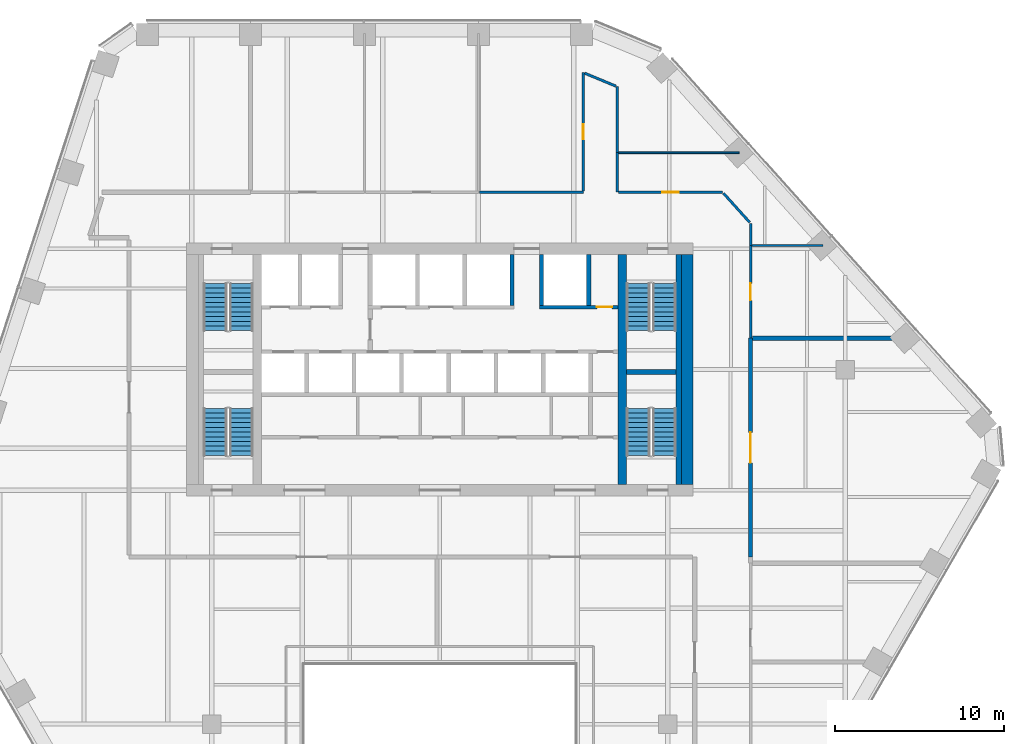
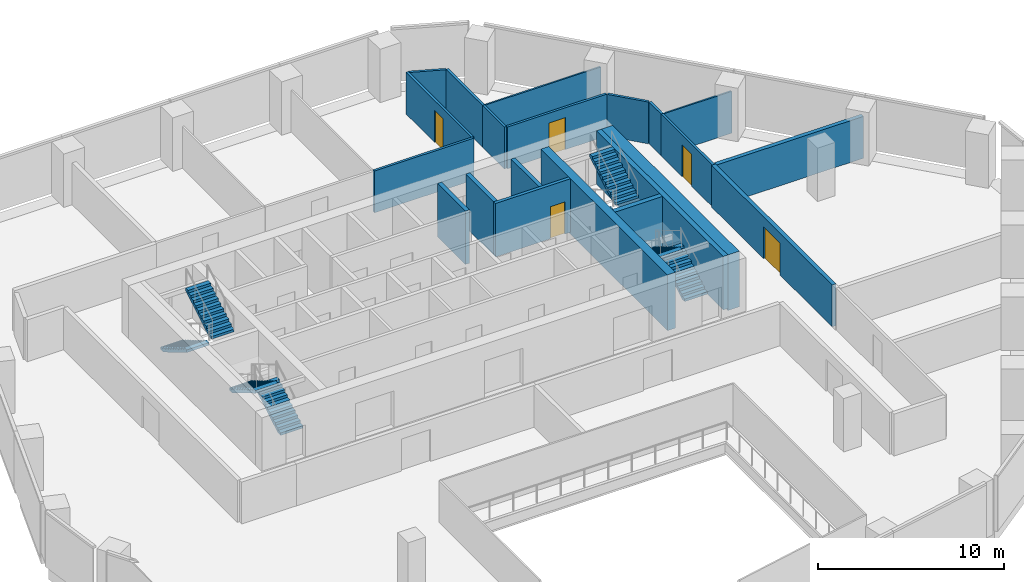
# One storey, part 13 of 16: 21 walls, 8 stair flights, 5 doors, 5 openings, 4 elements without a shape of their own.
"""IFC4 building model written with IfcOpenShell, lengths in metres."""

import ifcopenshell
import ifcopenshell.guid

model = None  # the IFC model being written
_history = None  # IfcOwnerHistory: only IFC2X3 demands one
_inside = {}  # id of a spatial element -> (the spatial element, [elements in it])
_under = {}  # id of a project, library or spatial element -> (it, [spatial elements below it])
_declared = {}  # id of a project -> (the project, [libraries it declares])
_typed = {}  # id of a type object -> (the type object, [elements of that type])
_made_of = {}  # id of a material, layer set ... -> (it, [elements and type objects made of it])


def new_model(schema):
    """Start an empty IFC model of exactly this schema.

    Asked for "IFC4X3", IfcOpenShell would pick the latest addendum, in which some entities
    have other attributes; the version numbers below select the first issue.
    IFC2X3 requires an IfcOwnerHistory on every rooted entity: one is made here for all.
    """
    global model, _history
    if schema == "IFC4X3":
        model = ifcopenshell.file(schema_version=(4, 3, 0, 0))
    else:
        model = ifcopenshell.file(schema=schema)
    _inside.clear()
    _under.clear()
    _declared.clear()
    _typed.clear()
    _made_of.clear()
    _history = None
    if model.schema == "IFC2X3":
        org = make("IfcOrganization", Name="unknown")
        user = make(
            "IfcPersonAndOrganization",
            ThePerson=make("IfcPerson", FamilyName="unknown"),
            TheOrganization=org,
        )
        app = make(
            "IfcApplication",
            ApplicationDeveloper=org,
            Version="unknown",
            ApplicationFullName="unknown",
            ApplicationIdentifier="unknown",
        )
        _history = make(
            "IfcOwnerHistory",
            OwningUser=user,
            OwningApplication=app,
            ChangeAction="ADDED",
            CreationDate=0,
        )
    return model


def make(cls, **values):
    """One entity of the class cls with the attributes given. An attribute that is None is left unset."""
    return model.create_entity(
        cls, **{name: value for name, value in values.items() if value is not None}
    )


def rooted(cls, **values):
    """An entity with a GlobalId (a new one), such as an element, a storey or a relation."""
    return make(cls, GlobalId=ifcopenshell.guid.new(), OwnerHistory=_history, **values)


def si_unit(unit_type, name, prefix=None):
    """IfcSIUnit, for example si_unit("LENGTHUNIT", "METRE", prefix="MILLI")."""
    return make("IfcSIUnit", UnitType=unit_type, Prefix=prefix, Name=name)


def assignment(units):
    """IfcUnitAssignment: the units of a project."""
    return None if units is None else make("IfcUnitAssignment", Units=units)


def point(xyz):
    """IfcCartesianPoint."""
    return None if xyz is None else make("IfcCartesianPoint", Coordinates=xyz)


def direction(xyz):
    """IfcDirection."""
    return None if xyz is None else make("IfcDirection", DirectionRatios=xyz)


def frame(location, z_axis=None, x_axis=None):
    """IfcAxis2Placement3D, a coordinate frame: its origin and axes. An axis left out is left unset."""
    return make(
        "IfcAxis2Placement3D",
        Location=point(location),
        Axis=direction(z_axis),
        RefDirection=direction(x_axis),
    )


def frame_2d(location, x_axis=None):
    """IfcAxis2Placement2D, a coordinate frame in the plane: its origin and x axis."""
    return make(
        "IfcAxis2Placement2D", Location=point(location), RefDirection=direction(x_axis)
    )


def origin():
    """The frame at (0, 0, 0) with its axes left unset."""
    return frame((0.0, 0.0, 0.0))


def place(relative_to, where):
    """IfcLocalPlacement: puts the frame where relative to a parent placement (None: the world)."""
    return make(
        "IfcLocalPlacement", PlacementRelTo=relative_to, RelativePlacement=where
    )


def context(
    kind, dimensions, precision=None, world=None, true_north=None, identifier=None
):
    """IfcGeometricRepresentationContext, for example the 3D "Model" context."""
    return make(
        "IfcGeometricRepresentationContext",
        ContextIdentifier=identifier,
        ContextType=kind,
        CoordinateSpaceDimension=dimensions,
        Precision=precision,
        WorldCoordinateSystem=world,
        TrueNorth=true_north,
    )


def subcontext(parent, identifier, kind, view, scale=None):
    """IfcGeometricRepresentationSubContext, for example "Body" below "Model"."""
    return make(
        "IfcGeometricRepresentationSubContext",
        ContextIdentifier=identifier,
        ContextType=kind,
        ParentContext=parent,
        TargetScale=scale,
        TargetView=view,
    )


def project(units=None, contexts=None):
    """IfcProject with its units and contexts."""
    return rooted(
        "IfcProject",
        Name="project",
        RepresentationContexts=contexts,
        UnitsInContext=assignment(units),
    )


def spatial(cls, under=None, at=None, **own):
    """A site, building, storey or space (cls), placed at a placement, below another one or the project."""
    s = rooted(cls, ObjectPlacement=at, **own)
    if under is not None:
        _under.setdefault(under.id(), (under, []))[1].append(s)
    return s


def polyline(points):
    """IfcPolyline through the points."""
    return make("IfcPolyline", Points=[point(p) for p in points])


def profile(cls, at=None, kind="AREA", **sizes):
    """A parametric profile (cls). Its sizes go by their IFC names, for example OverallWidth=200.0."""
    return make(cls, ProfileType=kind, Position=at, **sizes)


def rectangle(**sizes):
    """IfcRectangleProfileDef."""
    return profile("IfcRectangleProfileDef", **sizes)


def outline(outer, holes=None, kind="AREA"):
    """IfcArbitraryClosedProfileDef: a profile drawn as a closed curve; with holes, ...WithVoids."""
    if holes is None:
        return make("IfcArbitraryClosedProfileDef", ProfileType=kind, OuterCurve=outer)
    return make(
        "IfcArbitraryProfileDefWithVoids",
        ProfileType=kind,
        OuterCurve=outer,
        InnerCurves=holes,
    )


def extrude(swept, where, along, depth):
    """IfcExtrudedAreaSolid: the profile swept, set in the frame where, extruded along a direction by depth."""
    return make(
        "IfcExtrudedAreaSolid",
        SweptArea=swept,
        Position=where,
        ExtrudedDirection=direction(along),
        Depth=depth,
    )


def shape(context_of_items, identifier, shape_type, items):
    """IfcShapeRepresentation: the items that make up one representation, for example the "Body"."""
    return make(
        "IfcShapeRepresentation",
        ContextOfItems=context_of_items,
        RepresentationIdentifier=identifier,
        RepresentationType=shape_type,
        Items=items,
    )


def material(Name=None, Category=None):
    """IfcMaterial."""
    return make("IfcMaterial", Name=Name, Category=Category)


def layer(
    of_material, thickness, ventilated=None, Name=None, Category=None, Priority=None
):
    """IfcMaterialLayer: one layer of a wall or slab, of a material (None: an air gap)."""
    return make(
        "IfcMaterialLayer",
        Material=of_material,
        LayerThickness=thickness,
        IsVentilated=ventilated,
        Name=Name,
        Category=Category,
        Priority=Priority,
    )


def layer_set(layers, Name=None):
    """IfcMaterialLayerSet."""
    return make("IfcMaterialLayerSet", MaterialLayers=layers, LayerSetName=Name)


def made_of(thing, what):
    """Note that an element or type object is made of a material, layer set ...; save() writes the relation."""
    if what is not None:
        _made_of.setdefault(what.id(), (what, []))[1].append(thing)
    return thing


def type_object(cls, material=None, **own):
    """A type object (cls), such as IfcWallType, which elements share."""
    return made_of(rooted(cls, **own), material)


def element(
    cls,
    number,
    at=None,
    inside=None,
    cuts=None,
    type_object=None,
    material=None,
    context=None,
    identifier="Body",
    shape_type=None,
    held_by="IfcProductDefinitionShape",
    body=None,
    shapes=None,
    **own,
):
    """One element of the class cls, such as IfcWall. Its Tag is "e" and its number.

    at: its placement. inside: the storey or other place that contains it. cuts: it is an
    opening in that element (IfcRelVoidsElement). A single representation is given by context,
    identifier, shape_type and body (its items); several are given by shapes. held_by: the class
    of the entity that holds the representations. save() writes the other relations.
    """
    e = rooted(cls, Tag="e%d" % number, ObjectPlacement=at, **own)
    if body is not None:
        shapes = [shape(context, identifier, shape_type, body)]
    if shapes is not None:
        e.Representation = make(held_by, Representations=shapes)
    if inside is not None:
        _inside.setdefault(inside.id(), (inside, []))[1].append(e)
    if cuts is not None:
        rooted(
            "IfcRelVoidsElement", RelatingBuildingElement=cuts, RelatedOpeningElement=e
        )
    if type_object is not None:
        _typed.setdefault(type_object.id(), (type_object, []))[1].append(e)
    return made_of(e, material)


def fill(opening, filler):
    """IfcRelFillsElement: the door or window that sits in an opening."""
    return rooted(
        "IfcRelFillsElement",
        RelatingOpeningElement=opening,
        RelatedBuildingElement=filler,
    )


def aggregate(whole, parts):
    """IfcRelAggregates: a whole, such as a stair, and the parts it consists of."""
    return rooted("IfcRelAggregates", RelatingObject=whole, RelatedObjects=parts)


def save(model, path):
    """Write the relations noted so far, then the file.

    IfcRelAggregates (storeys below a building ...), IfcRelContainedInSpatialStructure (elements
    in a storey), IfcRelDefinesByType, IfcRelAssociatesMaterial and IfcRelDeclares: one each for
    every whole, place, type object, material and project.
    """
    for whole, parts in _under.values():
        aggregate(whole, parts)
    for where, things in _inside.values():
        rooted(
            "IfcRelContainedInSpatialStructure",
            RelatedElements=things,
            RelatingStructure=where,
        )
    for kind, things in _typed.values():
        rooted("IfcRelDefinesByType", RelatedObjects=things, RelatingType=kind)
    for what, things in _made_of.values():
        rooted("IfcRelAssociatesMaterial", RelatedObjects=things, RelatingMaterial=what)
    for by, libraries in _declared.values():
        rooted("IfcRelDeclares", RelatingContext=by, RelatedDefinitions=libraries)
    model.write(path)


model = new_model("IFC4")

# Units and contexts
model_context = context("Model", 3, precision=1e-05, world=origin(), true_north=direction((0.0, 1.0)))
body_context = subcontext(model_context, "Body", "Model", "MODEL_VIEW")
ifc_project = project(units=[si_unit("LENGTHUNIT", "METRE"), si_unit("AREAUNIT", "SQUARE_METRE"), si_unit("VOLUMEUNIT", "CUBIC_METRE"), si_unit("PLANEANGLEUNIT", "RADIAN"), si_unit("MASSUNIT", "GRAM", prefix="KILO")], contexts=[model_context])

# Site, building, storey
site_placement = place(None, origin())
site = spatial("IfcSite", under=ifc_project, at=site_placement, CompositionType="ELEMENT")
building_placement = place(site_placement, origin())
building = spatial("IfcBuilding", under=site, at=building_placement, Name="Isthmus Gate Tower", CompositionType="ELEMENT")
storey_placement = place(building_placement, frame((0.0, 0.0, 192.699951171875)))
storey = spatial("IfcBuildingStorey", under=building, at=storey_placement, Name="L48", CompositionType="ELEMENT", Elevation=192.699951171875)

# Wall, opening, door
ifc_material_1 = material(Name="Double-leaf acoustic stud wall, fire-rated", Category="gypsum")
ifc_layer_1 = layer(ifc_material_1, 0.25)
ifc_layer_set_1 = layer_set([ifc_layer_1], Name="ACOUSTIC WALL 250 60 MIN")
wall_type_1 = type_object("IfcWallType", Name="ACOUSTIC WALL 250 60 MIN", PredefinedType="PARTITIONING", material=ifc_layer_set_1)
wall_1_placement = place(storey_placement, frame((18.39990234375, 9.35693359375, 0.0), z_axis=(0.0, 0.0, 1.0), x_axis=(0.0, -1.0, 0.0)))
wall_1 = element("IfcWall", 1, at=wall_1_placement, inside=storey, type_object=wall_type_1, Name="L48 Acoustic Wall 250 60 Min", PredefinedType="PARTITIONING", context=body_context, shape_type="SweptSolid", body=[
    extrude(rectangle(XDim=12.95703125, YDim=0.25, at=frame_2d((6.478515625, 0.0))), origin(), (0.0, 0.0, 1.0), 2.7412109375),
])
opening_1_placement = place(wall_1_placement, frame((5.57861328125, 0.0, 0.0)))
opening_1 = element("IfcOpeningElement", 2, at=opening_1_placement, cuts=wall_1, Name="Opening DT-T4C-08", PredefinedType="OPENING", context=body_context, shape_type="SweptSolid", body=[
    extrude(rectangle(XDim=1.800048828125, YDim=2.10009765625, at=frame_2d((0.89990234375, 1.050048828125))), frame((0.0, 0.135009765625, 0.0), z_axis=(0.0, -1.0, 0.0), x_axis=(1.0, 0.0, 0.0)), (0.0, 0.0, 1.0), 0.27001953125),
])
ifc_material_2 = material(Name="Solid core timber door leaf, fire-rated", Category="wood")
door_type_1 = type_object("IfcDoorType", Name="FIRE DOOR ACOUSTIC ROOM 1800 X 2100 60 MIN", OperationType="DOUBLE_DOOR_DOUBLE_SWING", PredefinedType="DOOR", material=ifc_material_2)
door_1_placement = place(opening_1_placement, origin())
door_1 = element("IfcDoor", 3, at=door_1_placement, inside=storey, type_object=door_type_1, Name="L48 room door", OperationType="DOUBLE_DOOR_DOUBLE_SWING", OverallHeight=2.10009765625, OverallWidth=1.800048828125, PredefinedType="DOOR", context=body_context, shape_type="SweptSolid", body=[
    extrude(rectangle(XDim=1.800048828125, YDim=2.10009765625, at=frame_2d((0.89990234375, 1.050048828125))), frame((0.0, 0.02490234375, 0.0), z_axis=(0.0, -1.0, 0.0), x_axis=(1.0, 0.0, 0.0)), (0.0, 0.0, 1.0), 0.050048828125),
])
fill(opening_1, door_1)

# Walls
wall_2_placement = place(storey_placement, frame((18.52490234375, 9.35693359375, 0.0), z_axis=(0.0, 0.0, 1.0), x_axis=(1.0, 0.0, 0.0)))
element("IfcWall", 4, at=wall_2_placement, inside=storey, type_object=wall_type_1, Name="L48 Acoustic Wall 250 60 Min", PredefinedType="PARTITIONING", context=body_context, shape_type="SweptSolid", body=[
    extrude(rectangle(XDim=9.09716796875, YDim=0.25, at=frame_2d((4.548583984375, 0.0))), origin(), (0.0, 0.0, 1.0), 2.7412109375),
])
ifc_material_3 = material(Name="Gypsum board on steel studs, fire-rated", Category="steel")
ifc_layer_2 = layer(ifc_material_3, 0.14990234375)
ifc_layer_set_2 = layer_set([ifc_layer_2], Name="CORRIDOR WALL 150 60 MIN")
wall_type_2 = type_object("IfcWallType", Name="CORRIDOR WALL 150 60 MIN", PredefinedType="PARTITIONING", material=ifc_layer_set_2)
wall_3_placement = place(storey_placement, frame((10.5, 24.251953125, 0.0), z_axis=(0.0, 0.0, 1.0), x_axis=(0.0, -1.0, 0.0)))
element("IfcWall", 5, at=wall_3_placement, inside=storey, type_object=wall_type_2, Name="L48 Corridor Wall 150 60 Min", PredefinedType="PARTITIONING", context=body_context, shape_type="SweptSolid", body=[
    extrude(rectangle(XDim=3.910888671875, YDim=0.14990234375, at=frame_2d((1.95556640625, 0.0))), origin(), (0.0, 0.0, 1.0), 2.7412109375),
])
wall_4_placement = place(storey_placement, frame((10.5, 20.341064453125, 0.0), z_axis=(0.0, 0.0, 1.0), x_axis=(0.0, -1.0, 0.0)))
element("IfcWall", 6, at=wall_4_placement, inside=storey, type_object=wall_type_2, Name="L48 Corridor Wall 150 60 Min", PredefinedType="PARTITIONING", context=body_context, shape_type="SweptSolid", body=[
    extrude(rectangle(XDim=2.341064453125, YDim=0.14990234375, at=frame_2d((1.17041015625, 0.0))), origin(), (0.0, 0.0, 1.0), 2.7412109375),
])
wall_5_placement = place(storey_placement, frame((18.39990234375, 16.162109375, 0.0), z_axis=(0.0, 0.0, 1.0), x_axis=(0.0, -1.0, 0.0)))
element("IfcWall", 7, at=wall_5_placement, inside=storey, type_object=wall_type_2, Name="L48 Corridor Wall 150 60 Min", PredefinedType="PARTITIONING", context=body_context, shape_type="SweptSolid", body=[
    extrude(rectangle(XDim=1.31298828125, YDim=0.14990234375, at=frame_2d((0.656494140625, 0.0))), origin(), (0.0, 0.0, 1.0), 2.7412109375),
])

# Wall, opening, door
wall_6_placement = place(storey_placement, frame((18.39990234375, 14.84912109375, 0.0), z_axis=(0.0, 0.0, 1.0), x_axis=(0.0, -1.0, 0.0)))
wall_6 = element("IfcWall", 8, at=wall_6_placement, inside=storey, type_object=wall_type_2, Name="L48 Corridor Wall 150 60 Min", PredefinedType="PARTITIONING", context=body_context, shape_type="SweptSolid", body=[
    extrude(rectangle(XDim=5.4921875, YDim=0.14990234375, at=frame_2d((2.74609375, 0.0))), origin(), (0.0, 0.0, 1.0), 2.7412109375),
])
opening_2_placement = place(wall_6_placement, frame((2.24609375, 0.0, 0.0)))
opening_2 = element("IfcOpeningElement", 9, at=opening_2_placement, cuts=wall_6, Name="Opening DT-T4C-05", PredefinedType="OPENING", context=body_context, shape_type="SweptSolid", body=[
    extrude(rectangle(XDim=1.0, YDim=2.10009765625, at=frame_2d((0.5, 1.050048828125))), frame((0.0, 0.0849609375, 0.0), z_axis=(0.0, -1.0, 0.0), x_axis=(1.0, 0.0, 0.0)), (0.0, 0.0, 1.0), 0.169921875),
])
ifc_material_4 = material(Name="Solid core timber door leaf, fire-rated", Category="wood")
door_type_2 = type_object("IfcDoorType", Name="FIRE DOOR ROOM 1000 X 2100 60 MIN", OperationType="SINGLE_SWING_LEFT", PredefinedType="DOOR", material=ifc_material_4)
door_2_placement = place(opening_2_placement, origin())
door_2 = element("IfcDoor", 10, at=door_2_placement, inside=storey, type_object=door_type_2, Name="L48 room door", OperationType="SINGLE_SWING_RIGHT", OverallHeight=2.10009765625, OverallWidth=1.0, PredefinedType="DOOR", context=body_context, shape_type="SweptSolid", body=[
    extrude(rectangle(XDim=1.0, YDim=2.10009765625, at=frame_2d((0.5, 1.050048828125))), frame((0.0, 0.02490234375, 0.0), z_axis=(0.0, -1.0, 0.0), x_axis=(1.0, 0.0, 0.0)), (0.0, 0.0, 1.0), 0.050048828125),
])
fill(opening_2, door_2)

# Wall
wall_7_placement = place(storey_placement, frame((2.337890625, 18.0, 0.0), z_axis=(0.0, 0.0, 1.0), x_axis=(1.0, 0.0, 0.0)))
element("IfcWall", 11, at=wall_7_placement, inside=storey, type_object=wall_type_2, Name="L48 Corridor Wall 150 60 Min", PredefinedType="PARTITIONING", context=body_context, shape_type="SweptSolid", body=[
    extrude(rectangle(XDim=6.162109375, YDim=0.14990234375, at=frame_2d((3.0810546875, 0.0))), origin(), (0.0, 0.0, 1.0), 2.7412109375),
])

# Wall, opening, door
wall_8_placement = place(storey_placement, frame((8.5, 18.074951171875, 0.0), z_axis=(0.0, 0.0, 1.0), x_axis=(0.0, 1.0, 0.0)))
wall_8 = element("IfcWall", 12, at=wall_8_placement, inside=storey, type_object=wall_type_2, Name="L48 Corridor Wall 150 60 Min", PredefinedType="PARTITIONING", context=body_context, shape_type="SweptSolid", body=[
    extrude(rectangle(XDim=7.008056640625, YDim=0.14990234375, at=frame_2d((3.50390625, 0.0))), origin(), (0.0, 0.0, 1.0), 2.7412109375),
])
opening_3_placement = place(wall_8_placement, frame((3.053955078125, 0.0, 0.0)))
opening_3 = element("IfcOpeningElement", 13, at=opening_3_placement, cuts=wall_8, Name="Opening DT-T4C-03", PredefinedType="OPENING", context=body_context, shape_type="SweptSolid", body=[
    extrude(rectangle(XDim=0.89990234375, YDim=2.10009765625, at=frame_2d((0.449951171875, 1.050048828125))), frame((0.0, 0.0849609375, 0.0), z_axis=(0.0, -1.0, 0.0), x_axis=(1.0, 0.0, 0.0)), (0.0, 0.0, 1.0), 0.169921875),
])
ifc_material_5 = material(Name="Solid core timber door leaf, fire-rated", Category="wood")
door_type_3 = type_object("IfcDoorType", Name="FIRE DOOR ROOM 900 X 2100 60 MIN", OperationType="SINGLE_SWING_LEFT", PredefinedType="DOOR", material=ifc_material_5)
door_3_placement = place(opening_3_placement, origin())
door_3 = element("IfcDoor", 14, at=door_3_placement, inside=storey, type_object=door_type_3, Name="L48 room door", OperationType="SINGLE_SWING_RIGHT", OverallHeight=2.10009765625, OverallWidth=0.89990234375, PredefinedType="DOOR", context=body_context, shape_type="SweptSolid", body=[
    extrude(rectangle(XDim=0.89990234375, YDim=2.10009765625, at=frame_2d((0.449951171875, 1.050048828125))), frame((0.0, 0.02490234375, 0.0), z_axis=(0.0, -1.0, 0.0), x_axis=(1.0, 0.0, 0.0)), (0.0, 0.0, 1.0), 0.050048828125),
])
fill(opening_3, door_3)

# Wall
wall_9_placement = place(storey_placement, frame((8.574951171875, 25.0517578125, 0.0), z_axis=(0.0, 0.0, 1.0), x_axis=(0.923468241072, -0.383674872426, 0.0)))
element("IfcWall", 15, at=wall_9_placement, inside=storey, type_object=wall_type_2, Name="L48 Corridor Wall 150 60 Min", PredefinedType="PARTITIONING", context=body_context, shape_type="SweptSolid", body=[
    extrude(rectangle(XDim=2.009521484375, YDim=0.14990234375, at=frame_2d((1.0048828125, 0.0))), origin(), (0.0, 0.0, 1.0), 2.7412109375),
])

# Wall, opening, door
wall_10_placement = place(storey_placement, frame((10.574951171875, 18.0, 0.0), z_axis=(0.0, 0.0, 1.0), x_axis=(1.0, 0.0, 0.0)))
wall_10 = element("IfcWall", 16, at=wall_10_placement, inside=storey, type_object=wall_type_2, Name="L48 Corridor Wall 150 60 Min", PredefinedType="PARTITIONING", context=body_context, shape_type="SweptSolid", body=[
    extrude(rectangle(XDim=6.170166015625, YDim=0.14990234375, at=frame_2d((3.0849609375, 0.0))), origin(), (0.0, 0.0, 1.0), 2.7412109375),
])
opening_4_placement = place(wall_10_placement, frame((2.5849609375, 0.0, 0.0)))
opening_4 = element("IfcOpeningElement", 17, at=opening_4_placement, cuts=wall_10, Name="Opening DT-T4C-04", PredefinedType="OPENING", context=body_context, shape_type="SweptSolid", body=[
    extrude(rectangle(XDim=1.0, YDim=2.10009765625, at=frame_2d((0.5, 1.050048828125))), frame((0.0, 0.0849609375, 0.0), z_axis=(0.0, -1.0, 0.0), x_axis=(1.0, 0.0, 0.0)), (0.0, 0.0, 1.0), 0.169921875),
])
door_4_placement = place(opening_4_placement, origin())
door_4 = element("IfcDoor", 18, at=door_4_placement, inside=storey, type_object=door_type_2, Name="L48 room door", OperationType="SINGLE_SWING_RIGHT", OverallHeight=2.10009765625, OverallWidth=1.0, PredefinedType="DOOR", context=body_context, shape_type="SweptSolid", body=[
    extrude(rectangle(XDim=1.0, YDim=2.10009765625, at=frame_2d((0.5, 1.050048828125))), frame((0.0, 0.02490234375, 0.0), z_axis=(0.0, -1.0, 0.0), x_axis=(1.0, 0.0, 0.0)), (0.0, 0.0, 1.0), 0.050048828125),
])
fill(opening_4, door_4)

# Walls
wall_11_placement = place(storey_placement, frame((16.795166015625, 17.9443359375, 0.0), z_axis=(0.0, 0.0, 1.0), x_axis=(0.669150487814, -0.743126923653, 0.0)))
element("IfcWall", 19, at=wall_11_placement, inside=storey, type_object=wall_type_2, Name="L48 Corridor Wall 150 60 Min", PredefinedType="PARTITIONING", context=body_context, shape_type="SweptSolid", body=[
    extrude(rectangle(XDim=2.323486328125, YDim=0.14990234375, at=frame_2d((1.16162109375, 0.0))), origin(), (0.0, 0.0, 1.0), 2.7412109375),
])
ifc_material_6 = material(Name="Concrete f'c 60 MPa", Category="concrete")
ifc_layer_3 = layer(ifc_material_6, 0.5)
ifc_layer_set_3 = layer_set([ifc_layer_3], Name="RC CORE SPINE WALL 500 F'C 60")
wall_type_3 = type_object("IfcWallType", Name="RC CORE SPINE WALL 500 F'C 60", PredefinedType="SOLIDWALL", material=ifc_layer_set_3)
wall_12_placement = place(storey_placement, frame((10.800048828125, 0.699951171875, -0.14990234375), z_axis=(0.0, 0.0, 1.0), x_axis=(0.0, 1.0, 0.0)))
element("IfcWall", 20, at=wall_12_placement, inside=storey, type_object=wall_type_3, Name="str-corewall-L48-SPE", PredefinedType="SOLIDWALL", context=body_context, shape_type="SweptSolid", body=[
    extrude(rectangle(XDim=13.60009765625, YDim=0.5, at=frame_2d((6.800048828125, 0.0))), origin(), (0.0, 0.0, 1.0), 3.64990234375),
])
ifc_material_7 = material(Name="Concrete f'c 60 MPa", Category="concrete")
ifc_layer_4 = layer(ifc_material_7, 0.699951171875)
ifc_layer_set_4 = layer_set([ifc_layer_4], Name="RC CORE WALL 700 F'C 60")
wall_type_4 = type_object("IfcWallType", Name="RC CORE WALL 700 F'C 60", PredefinedType="SOLIDWALL", material=ifc_layer_set_4)
wall_13_placement = place(storey_placement, frame((14.64990234375, 0.699951171875, -0.14990234375), z_axis=(0.0, 0.0, 1.0), x_axis=(0.0, 1.0, 0.0)))
element("IfcWall", 21, at=wall_13_placement, inside=storey, type_object=wall_type_4, Name="str-corewall-L48-E", PredefinedType="SOLIDWALL", context=body_context, shape_type="SweptSolid", body=[
    extrude(rectangle(XDim=13.60009765625, YDim=0.699951171875, at=frame_2d((6.800048828125, 0.0))), origin(), (0.0, 0.0, 1.0), 3.64990234375),
])
ifc_material_8 = material(Name="Gypsum board on steel studs, fire-rated", Category="steel")
ifc_layer_5 = layer(ifc_material_8, 0.10009765625)
ifc_layer_set_5 = layer_set([ifc_layer_5], Name="ROOM PARTITION 100 30 MIN")
wall_type_5 = type_object("IfcWallType", Name="ROOM PARTITION 100 30 MIN", PredefinedType="PARTITIONING", material=ifc_layer_set_5)
wall_14_placement = place(storey_placement, frame((10.574951171875, 20.341064453125, 0.0), z_axis=(0.0, 0.0, 1.0), x_axis=(1.0, 0.0, 0.0)))
element("IfcWall", 22, at=wall_14_placement, inside=storey, type_object=wall_type_5, Name="L48 Room Partition 100 30 Min", PredefinedType="PARTITIONING", context=body_context, shape_type="SweptSolid", body=[
    extrude(rectangle(XDim=7.156005859375, YDim=0.10009765625, at=frame_2d((3.578125, 0.0))), origin(), (0.0, 0.0, 1.0), 2.7412109375),
])
wall_15_placement = place(storey_placement, frame((18.47509765625, 14.84912109375, 0.0), z_axis=(0.0, 0.0, 1.0), x_axis=(1.0, 0.0, 0.0)))
element("IfcWall", 23, at=wall_15_placement, inside=storey, type_object=wall_type_5, Name="L48 Room Partition 100 30 Min", PredefinedType="PARTITIONING", context=body_context, shape_type="SweptSolid", body=[
    extrude(rectangle(XDim=4.201904296875, YDim=0.10009765625, at=frame_2d((2.10107421875, 0.0))), origin(), (0.0, 0.0, 1.0), 2.7412109375),
])

# Wall, opening, door
ifc_material_9 = material(Name="Fire-rated blockwork masonry, 15 MPa", Category="masonry")
ifc_layer_6 = layer(ifc_material_9, 0.199951171875)
ifc_layer_set_6 = layer_set([ifc_layer_6], Name="SHAFT FRONT WALL 200 120 MIN")
wall_type_6 = type_object("IfcWallType", Name="SHAFT FRONT WALL 200 120 MIN", PredefinedType="PARTITIONING", material=ifc_layer_set_6)
wall_16_placement = place(storey_placement, frame((5.89990234375, 11.199951171875, 0.0), z_axis=(0.0, 0.0, 1.0), x_axis=(1.0, 0.0, 0.0)))
wall_16 = element("IfcWall", 24, at=wall_16_placement, inside=storey, type_object=wall_type_6, Name="L48 SHAFT FRONT WALL 200 120 MIN", PredefinedType="PARTITIONING", context=body_context, shape_type="SweptSolid", body=[
    extrude(rectangle(XDim=4.650146484375, YDim=0.199951171875, at=frame_2d((2.3251953125, 0.0))), origin(), (0.0, 0.0, 1.0), 3.5),
])
opening_5_placement = place(wall_16_placement, frame((3.39990234375, 0.0, 0.0)))
opening_5 = element("IfcOpeningElement", 25, at=opening_5_placement, cuts=wall_16, Name="Opening DC-A11-09", PredefinedType="OPENING", context=body_context, shape_type="SweptSolid", body=[
    extrude(rectangle(XDim=0.89990234375, YDim=2.10009765625, at=frame_2d((0.449951171875, 1.050048828125))), frame((0.0, 0.10986328125, 0.0), z_axis=(0.0, -1.0, 0.0), x_axis=(1.0, 0.0, 0.0)), (0.0, 0.0, 1.0), 0.219970703125),
])
ifc_material_10 = material(Name="Steel door leaf, fire-rated", Category="steel")
door_type_4 = type_object("IfcDoorType", Name="RISER FIRE DOOR 900 X 2100 90 MIN", OperationType="SINGLE_SWING_LEFT", PredefinedType="DOOR", material=ifc_material_10)
door_5_placement = place(opening_5_placement, origin())
door_5 = element("IfcDoor", 26, at=door_5_placement, inside=storey, type_object=door_type_4, Name="Riser Door", OperationType="SINGLE_SWING_LEFT", OverallHeight=2.10009765625, OverallWidth=0.89990234375, PredefinedType="DOOR", context=body_context, shape_type="SweptSolid", body=[
    extrude(rectangle(XDim=0.89990234375, YDim=2.10009765625, at=frame_2d((0.449951171875, 1.050048828125))), frame((0.0, 0.02490234375, 0.0), z_axis=(0.0, -1.0, 0.0), x_axis=(1.0, 0.0, 0.0)), (0.0, 0.0, 1.0), 0.050048828125),
])
fill(opening_5, door_5)

# Walls
ifc_material_11 = material(Name="Fire-rated blockwork masonry, 15 MPa", Category="masonry")
ifc_layer_7 = layer(ifc_material_11, 0.25)
ifc_layer_set_7 = layer_set([ifc_layer_7], Name="SHAFT WALL 250 120 MIN")
wall_type_7 = type_object("IfcWallType", Name="SHAFT WALL 250 120 MIN", PredefinedType="PARTITIONING", material=ifc_layer_set_7)
for number, where, z_axis, x_axis, name in (
    (27, (4.27490234375, 11.300048828125, 0.0), (0.0, 0.0, 1.0), (0.0, 1.0, 0.0), "L48 SHAFT WALL 250 120 MIN"),
    (28, (6.02490234375, 11.300048828125, 0.0), (0.0, 0.0, 1.0), (0.0, 1.0, 0.0), "L48 SHAFT WALL 250 120 MIN"),
    (29, (8.824951171875, 11.300048828125, 0.0), (0.0, 0.0, 1.0), (0.0, 1.0, 0.0), "L48 SHAFT WALL 250 120 MIN"),
):
    element("IfcWall", number, at=place(storey_placement, frame(where, z_axis=z_axis, x_axis=x_axis)), inside=storey, type_object=wall_type_7, Name=name, PredefinedType="PARTITIONING", context=body_context, shape_type="SweptSolid", body=[
        extrude(rectangle(XDim=3.0, YDim=0.25, at=frame_2d((1.5, 0.0))), origin(), (0.0, 0.0, 1.0), 3.5),
    ])
ifc_material_12 = material(Name="Concrete f'c 40 MPa", Category="concrete")
ifc_layer_8 = layer(ifc_material_12, 0.300048828125)
ifc_layer_set_8 = layer_set([ifc_layer_8], Name="STAIR ENCLOSURE WALL 300 180 MIN")
wall_type_8 = type_object("IfcWallType", Name="STAIR ENCLOSURE WALL 300 180 MIN", PredefinedType="SOLIDWALL", material=ifc_layer_set_8)
wall_17_placement = place(storey_placement, frame((11.050048828125, 7.35009765625, 0.0), z_axis=(0.0, 0.0, 1.0), x_axis=(1.0, 0.0, 0.0)))
element("IfcWall", 30, at=wall_17_placement, inside=storey, type_object=wall_type_8, Name="L48 STAIR ENCLOSURE WALL 300 180 MIN", PredefinedType="SOLIDWALL", context=body_context, shape_type="SweptSolid", body=[
    extrude(rectangle(XDim=2.949951171875, YDim=0.300048828125, at=frame_2d((1.47509765625, 0.0))), origin(), (0.0, 0.0, 1.0), 3.5),
])
wall_18_placement = place(storey_placement, frame((14.14990234375, 0.699951171875, 0.0), z_axis=(0.0, 0.0, 1.0), x_axis=(0.0, 1.0, 0.0)))
element("IfcWall", 31, at=wall_18_placement, inside=storey, type_object=wall_type_8, Name="L48 STAIR ENCLOSURE WALL 300 180 MIN", PredefinedType="SOLIDWALL", context=body_context, shape_type="SweptSolid", body=[
    extrude(rectangle(XDim=13.60009765625, YDim=0.300048828125, at=frame_2d((6.800048828125, 0.0))), origin(), (0.0, 0.0, 1.0), 3.5),
])

# Stair, stair flights
ifc_material_13 = material(Name="Concrete f'c 40 MPa", Category="concrete")
stair_type = type_object("IfcStairType", Name="CORE STAIR 22 RISERS", PredefinedType="HALF_TURN_STAIR", material=ifc_material_13)
stair_1_placement = place(storey_placement, origin())
stair_1 = element("IfcStair", 32, at=stair_1_placement, inside=storey, type_object=stair_type, Name="L48 Exit Stair 1", PredefinedType="HALF_TURN_STAIR")
ifc_material_14 = material(Name="Concrete f'c 40 MPa", Category="concrete")
stair_flight_type = type_object("IfcStairFlightType", Name="STAIR FLIGHT RC 1400", PredefinedType="STRAIGHT", material=ifc_material_14)
stair_flight_1_placement = place(storey_placement, frame((-13.300048828125, 12.60009765625, 0.0), z_axis=(0.0, 0.0, 1.0), x_axis=(0.0, -1.0, 0.0)))
stair_flight_1 = element("IfcStairFlight", 33, at=stair_flight_1_placement, type_object=stair_flight_type, Name="ST1 flight 1", NumberOfRisers=11, NumberOfTreads=10, PredefinedType="STRAIGHT", RiserHeight=0.165909091, TreadLength=0.28, context=body_context, shape_type="SweptSolid", body=[
    extrude(outline(polyline([(0.0, 0.0), (0.0, 0.166015625), (0.280029296875, 0.166015625), (0.280029296875, 0.331787109375), (0.56005859375, 0.331787109375), (0.56005859375, 0.497802734375), (0.840087890625, 0.497802734375), (0.840087890625, 0.66357421875), (1.1201171875, 0.66357421875), (1.1201171875, 0.82958984375), (1.39990234375, 0.82958984375), (1.39990234375, 0.995361328125), (1.679931640625, 0.995361328125), (1.679931640625, 1.161376953125), (1.9599609375, 1.161376953125), (1.9599609375, 1.327392578125), (2.239990234375, 1.327392578125), (2.239990234375, 1.4931640625), (2.52001953125, 1.4931640625), (2.52001953125, 1.6591796875), (2.800048828125, 1.6591796875), (2.800048828125, 1.824951171875), (2.800048828125, 1.48486328125), (0.2939453125, 0.0), (0.0, 0.0)])), frame((0.0, 0.699951171875, 0.0), z_axis=(0.0, -1.0, 0.0), x_axis=(1.0, 0.0, 0.0)), (0.0, 0.0, 1.0), 1.39990234375),
])
stair_flight_2_placement = place(storey_placement, frame((-11.75, 9.800048828125, 1.824951171875), z_axis=(0.0, 0.0, 1.0), x_axis=(0.0, 1.0, 0.0)))
stair_flight_2 = element("IfcStairFlight", 34, at=stair_flight_2_placement, type_object=stair_flight_type, Name="ST1 flight 2", NumberOfRisers=11, NumberOfTreads=10, PredefinedType="STRAIGHT", RiserHeight=0.165909091, TreadLength=0.28, context=body_context, shape_type="SweptSolid", body=[
    extrude(outline(polyline([(0.0, 0.0), (0.0, 0.166015625), (0.280029296875, 0.166015625), (0.280029296875, 0.331787109375), (0.56005859375, 0.331787109375), (0.56005859375, 0.497802734375), (0.840087890625, 0.497802734375), (0.840087890625, 0.66357421875), (1.1201171875, 0.66357421875), (1.1201171875, 0.82958984375), (1.39990234375, 0.82958984375), (1.39990234375, 0.995361328125), (1.679931640625, 0.995361328125), (1.679931640625, 1.161376953125), (1.9599609375, 1.161376953125), (1.9599609375, 1.327392578125), (2.239990234375, 1.327392578125), (2.239990234375, 1.4931640625), (2.52001953125, 1.4931640625), (2.52001953125, 1.6591796875), (2.800048828125, 1.6591796875), (2.800048828125, 1.824951171875), (2.800048828125, 1.48486328125), (0.2939453125, 0.0), (0.0, 0.0)])), frame((0.0, 0.699951171875, 0.0), z_axis=(0.0, -1.0, 0.0), x_axis=(1.0, 0.0, 0.0)), (0.0, 0.0, 1.0), 1.39990234375),
])
aggregate(stair_1, [stair_flight_1, stair_flight_2])

stair_2_placement = place(storey_placement, origin())
stair_2 = element("IfcStair", 35, at=stair_2_placement, inside=storey, type_object=stair_type, Name="L48 Exit Stair 2", PredefinedType="HALF_TURN_STAIR")
stair_flight_3_placement = place(storey_placement, frame((11.75, 12.60009765625, 0.0), z_axis=(0.0, 0.0, 1.0), x_axis=(0.0, -1.0, 0.0)))
stair_flight_3 = element("IfcStairFlight", 36, at=stair_flight_3_placement, type_object=stair_flight_type, Name="ST2 flight 1", NumberOfRisers=11, NumberOfTreads=10, PredefinedType="STRAIGHT", RiserHeight=0.165909091, TreadLength=0.28, context=body_context, shape_type="SweptSolid", body=[
    extrude(outline(polyline([(0.0, 0.0), (0.0, 0.166015625), (0.280029296875, 0.166015625), (0.280029296875, 0.331787109375), (0.56005859375, 0.331787109375), (0.56005859375, 0.497802734375), (0.840087890625, 0.497802734375), (0.840087890625, 0.66357421875), (1.1201171875, 0.66357421875), (1.1201171875, 0.82958984375), (1.39990234375, 0.82958984375), (1.39990234375, 0.995361328125), (1.679931640625, 0.995361328125), (1.679931640625, 1.161376953125), (1.9599609375, 1.161376953125), (1.9599609375, 1.327392578125), (2.239990234375, 1.327392578125), (2.239990234375, 1.4931640625), (2.52001953125, 1.4931640625), (2.52001953125, 1.6591796875), (2.800048828125, 1.6591796875), (2.800048828125, 1.824951171875), (2.800048828125, 1.48486328125), (0.2939453125, 0.0), (0.0, 0.0)])), frame((0.0, 0.699951171875, 0.0), z_axis=(0.0, -1.0, 0.0), x_axis=(1.0, 0.0, 0.0)), (0.0, 0.0, 1.0), 1.39990234375),
])
stair_flight_4_placement = place(storey_placement, frame((13.300048828125, 9.800048828125, 1.824951171875), z_axis=(0.0, 0.0, 1.0), x_axis=(0.0, 1.0, 0.0)))
stair_flight_4 = element("IfcStairFlight", 37, at=stair_flight_4_placement, type_object=stair_flight_type, Name="ST2 flight 2", NumberOfRisers=11, NumberOfTreads=10, PredefinedType="STRAIGHT", RiserHeight=0.165909091, TreadLength=0.28, context=body_context, shape_type="SweptSolid", body=[
    extrude(outline(polyline([(0.0, 0.0), (0.0, 0.166015625), (0.280029296875, 0.166015625), (0.280029296875, 0.331787109375), (0.56005859375, 0.331787109375), (0.56005859375, 0.497802734375), (0.840087890625, 0.497802734375), (0.840087890625, 0.66357421875), (1.1201171875, 0.66357421875), (1.1201171875, 0.82958984375), (1.39990234375, 0.82958984375), (1.39990234375, 0.995361328125), (1.679931640625, 0.995361328125), (1.679931640625, 1.161376953125), (1.9599609375, 1.161376953125), (1.9599609375, 1.327392578125), (2.239990234375, 1.327392578125), (2.239990234375, 1.4931640625), (2.52001953125, 1.4931640625), (2.52001953125, 1.6591796875), (2.800048828125, 1.6591796875), (2.800048828125, 1.824951171875), (2.800048828125, 1.48486328125), (0.2939453125, 0.0), (0.0, 0.0)])), frame((0.0, 0.699951171875, 0.0), z_axis=(0.0, -1.0, 0.0), x_axis=(1.0, 0.0, 0.0)), (0.0, 0.0, 1.0), 1.39990234375),
])
aggregate(stair_2, [stair_flight_3, stair_flight_4])

stair_3_placement = place(storey_placement, origin())
stair_3 = element("IfcStair", 38, at=stair_3_placement, inside=storey, type_object=stair_type, Name="L48 Exit Stair 7", PredefinedType="HALF_TURN_STAIR")
stair_flight_5_placement = place(storey_placement, frame((-11.75, 2.39990234375, 0.0), z_axis=(0.0, 0.0, 1.0), x_axis=(0.0, 1.0, 0.0)))
stair_flight_5 = element("IfcStairFlight", 39, at=stair_flight_5_placement, type_object=stair_flight_type, Name="ST7 flight 1", NumberOfRisers=11, NumberOfTreads=10, PredefinedType="STRAIGHT", RiserHeight=0.165909091, TreadLength=0.28, context=body_context, shape_type="SweptSolid", body=[
    extrude(outline(polyline([(0.0, 0.0), (0.0, 0.166015625), (0.280029296875, 0.166015625), (0.280029296875, 0.331787109375), (0.56005859375, 0.331787109375), (0.56005859375, 0.497802734375), (0.840087890625, 0.497802734375), (0.840087890625, 0.66357421875), (1.1201171875, 0.66357421875), (1.1201171875, 0.82958984375), (1.39990234375, 0.82958984375), (1.39990234375, 0.995361328125), (1.679931640625, 0.995361328125), (1.679931640625, 1.161376953125), (1.9599609375, 1.161376953125), (1.9599609375, 1.327392578125), (2.239990234375, 1.327392578125), (2.239990234375, 1.4931640625), (2.52001953125, 1.4931640625), (2.52001953125, 1.6591796875), (2.800048828125, 1.6591796875), (2.800048828125, 1.824951171875), (2.800048828125, 1.48486328125), (0.2939453125, 0.0), (0.0, 0.0)])), frame((0.0, 0.699951171875, 0.0), z_axis=(0.0, -1.0, 0.0), x_axis=(1.0, 0.0, 0.0)), (0.0, 0.0, 1.0), 1.39990234375),
])
stair_flight_6_placement = place(storey_placement, frame((-13.300048828125, 5.199951171875, 1.824951171875), z_axis=(0.0, 0.0, 1.0), x_axis=(0.0, -1.0, 0.0)))
stair_flight_6 = element("IfcStairFlight", 40, at=stair_flight_6_placement, type_object=stair_flight_type, Name="ST7 flight 2", NumberOfRisers=11, NumberOfTreads=10, PredefinedType="STRAIGHT", RiserHeight=0.165909091, TreadLength=0.28, context=body_context, shape_type="SweptSolid", body=[
    extrude(outline(polyline([(0.0, 0.0), (0.0, 0.166015625), (0.280029296875, 0.166015625), (0.280029296875, 0.331787109375), (0.56005859375, 0.331787109375), (0.56005859375, 0.497802734375), (0.840087890625, 0.497802734375), (0.840087890625, 0.66357421875), (1.1201171875, 0.66357421875), (1.1201171875, 0.82958984375), (1.39990234375, 0.82958984375), (1.39990234375, 0.995361328125), (1.679931640625, 0.995361328125), (1.679931640625, 1.161376953125), (1.9599609375, 1.161376953125), (1.9599609375, 1.327392578125), (2.239990234375, 1.327392578125), (2.239990234375, 1.4931640625), (2.52001953125, 1.4931640625), (2.52001953125, 1.6591796875), (2.800048828125, 1.6591796875), (2.800048828125, 1.824951171875), (2.800048828125, 1.48486328125), (0.2939453125, 0.0), (0.0, 0.0)])), frame((0.0, 0.699951171875, 0.0), z_axis=(0.0, -1.0, 0.0), x_axis=(1.0, 0.0, 0.0)), (0.0, 0.0, 1.0), 1.39990234375),
])
aggregate(stair_3, [stair_flight_5, stair_flight_6])

stair_4_placement = place(storey_placement, origin())
stair_4 = element("IfcStair", 41, at=stair_4_placement, inside=storey, type_object=stair_type, Name="L48 Exit Stair 8", PredefinedType="HALF_TURN_STAIR")
stair_flight_7_placement = place(storey_placement, frame((13.300048828125, 2.39990234375, 0.0), z_axis=(0.0, 0.0, 1.0), x_axis=(0.0, 1.0, 0.0)))
stair_flight_7 = element("IfcStairFlight", 42, at=stair_flight_7_placement, type_object=stair_flight_type, Name="ST8 flight 1", NumberOfRisers=11, NumberOfTreads=10, PredefinedType="STRAIGHT", RiserHeight=0.165909091, TreadLength=0.28, context=body_context, shape_type="SweptSolid", body=[
    extrude(outline(polyline([(0.0, 0.0), (0.0, 0.166015625), (0.280029296875, 0.166015625), (0.280029296875, 0.331787109375), (0.56005859375, 0.331787109375), (0.56005859375, 0.497802734375), (0.840087890625, 0.497802734375), (0.840087890625, 0.66357421875), (1.1201171875, 0.66357421875), (1.1201171875, 0.82958984375), (1.39990234375, 0.82958984375), (1.39990234375, 0.995361328125), (1.679931640625, 0.995361328125), (1.679931640625, 1.161376953125), (1.9599609375, 1.161376953125), (1.9599609375, 1.327392578125), (2.239990234375, 1.327392578125), (2.239990234375, 1.4931640625), (2.52001953125, 1.4931640625), (2.52001953125, 1.6591796875), (2.800048828125, 1.6591796875), (2.800048828125, 1.824951171875), (2.800048828125, 1.48486328125), (0.2939453125, 0.0), (0.0, 0.0)])), frame((0.0, 0.699951171875, 0.0), z_axis=(0.0, -1.0, 0.0), x_axis=(1.0, 0.0, 0.0)), (0.0, 0.0, 1.0), 1.39990234375),
])
stair_flight_8_placement = place(storey_placement, frame((11.75, 5.199951171875, 1.824951171875), z_axis=(0.0, 0.0, 1.0), x_axis=(0.0, -1.0, 0.0)))
stair_flight_8 = element("IfcStairFlight", 43, at=stair_flight_8_placement, type_object=stair_flight_type, Name="ST8 flight 2", NumberOfRisers=11, NumberOfTreads=10, PredefinedType="STRAIGHT", RiserHeight=0.165909091, TreadLength=0.28, context=body_context, shape_type="SweptSolid", body=[
    extrude(outline(polyline([(0.0, 0.0), (0.0, 0.166015625), (0.280029296875, 0.166015625), (0.280029296875, 0.331787109375), (0.56005859375, 0.331787109375), (0.56005859375, 0.497802734375), (0.840087890625, 0.497802734375), (0.840087890625, 0.66357421875), (1.1201171875, 0.66357421875), (1.1201171875, 0.82958984375), (1.39990234375, 0.82958984375), (1.39990234375, 0.995361328125), (1.679931640625, 0.995361328125), (1.679931640625, 1.161376953125), (1.9599609375, 1.161376953125), (1.9599609375, 1.327392578125), (2.239990234375, 1.327392578125), (2.239990234375, 1.4931640625), (2.52001953125, 1.4931640625), (2.52001953125, 1.6591796875), (2.800048828125, 1.6591796875), (2.800048828125, 1.824951171875), (2.800048828125, 1.48486328125), (0.2939453125, 0.0), (0.0, 0.0)])), frame((0.0, 0.699951171875, 0.0), z_axis=(0.0, -1.0, 0.0), x_axis=(1.0, 0.0, 0.0)), (0.0, 0.0, 1.0), 1.39990234375),
])
aggregate(stair_4, [stair_flight_7, stair_flight_8])

save(model, "model.ifc")
